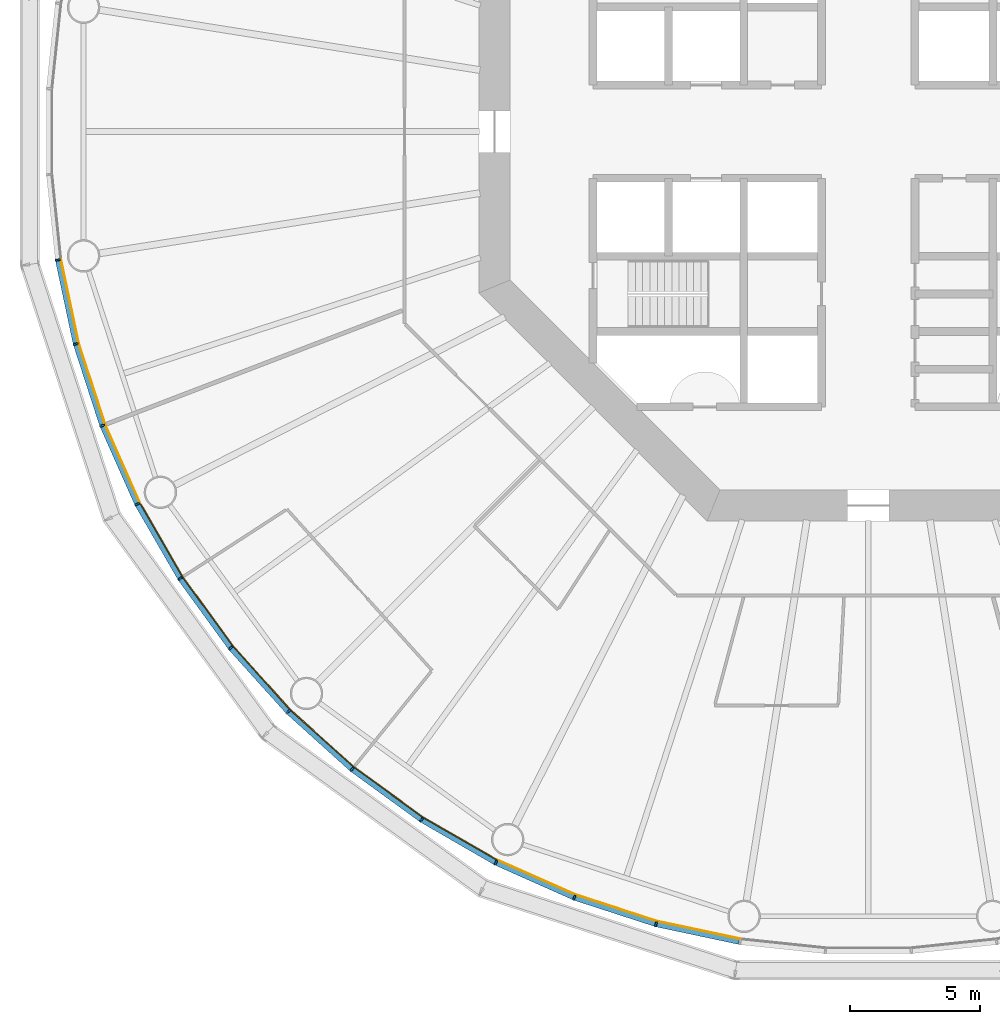
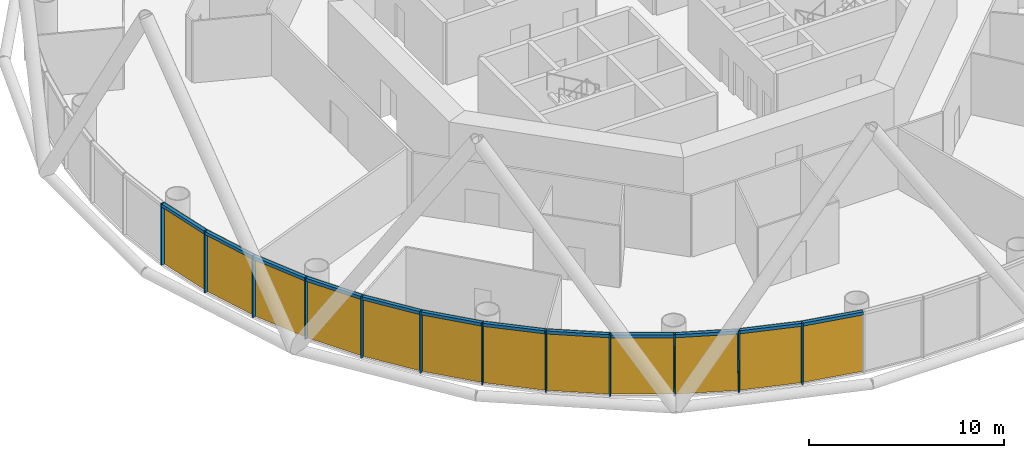
# One storey, part 7 of 13: 24 members, 4 curtain walls.
"""IFC4 building model written with IfcOpenShell, lengths in metres."""

from ifc_helpers import new_model, si_unit, direction, frame, origin, origin_2d, place, context, subcontext, project, spatial, polyline, rectangle, outline, extrude, material, layer, layer_set, material_profile, profile_set, type_object, element, aggregate, save


model = new_model("IFC4")

# Units and contexts
model_context = context("Model", 3, precision=1e-05, world=origin(), true_north=direction((0.0, 1.0)))
body_context = subcontext(model_context, "Body", "Model", "MODEL_VIEW")
ifc_project = project(units=[si_unit("LENGTHUNIT", "METRE"), si_unit("AREAUNIT", "SQUARE_METRE"), si_unit("VOLUMEUNIT", "CUBIC_METRE"), si_unit("PLANEANGLEUNIT", "RADIAN"), si_unit("MASSUNIT", "GRAM", prefix="KILO")], contexts=[model_context])

# Member
ifc_material_1 = material(Name="Anodised aluminium", Category="aluminium")
ifc_material_profile_1 = material_profile(ifc_material_1, rectangle(XDim=0.070068359375, YDim=0.199951171875, at=origin_2d()), Name="Mullion 70 x 200 mm anodised aluminium")
ifc_profile_set_1 = profile_set([ifc_material_profile_1], Name="Anodised aluminium")
member_type_1 = type_object("IfcMemberType", Name="Mullion 70 x 200 mm anodised aluminium", PredefinedType="MULLION", material=ifc_profile_set_1)
site_placement = place(None, origin())
building_placement = place(site_placement, origin())
storey_placement = place(building_placement, frame((0.0, 0.0, 116.0)))
member_1_placement = place(storey_placement, frame((58.7890625, 75.056640625, 0.0), z_axis=(0.0, 0.0, 1.0), x_axis=(0.15643446504, -0.987688340595, 0.0)))
member_1 = element("IfcMember", 1, at=member_1_placement, type_object=member_type_1, Name="MULLION L26-30", PredefinedType="MULLION", context=body_context, shape_type="SweptSolid", body=[
    extrude(rectangle(XDim=0.070068359375, YDim=0.199951171875, at=origin_2d()), origin(), (0.0, 0.0, 1.0), 3.85009765625),
])

member_2_placement = place(storey_placement, frame((59.476806640625, 71.8212890625, 0.0), z_axis=(0.0, 0.0, 1.0), x_axis=(0.258819045103, -0.965925826289, 0.0)))
member_2 = element("IfcMember", 2, at=member_2_placement, type_object=member_type_1, Name="MULLION L26-31", PredefinedType="MULLION", context=body_context, shape_type="SweptSolid", body=[
    extrude(rectangle(XDim=0.070068359375, YDim=0.199951171875, at=origin_2d()), origin(), (0.0, 0.0, 1.0), 3.85009765625),
])

member_3_placement = place(storey_placement, frame((60.498779296875, 68.675537109375, 0.0), z_axis=(0.0, 0.0, 1.0), x_axis=(0.358367949545, -0.933580426497, 0.0)))
member_3 = element("IfcMember", 3, at=member_3_placement, type_object=member_type_1, Name="MULLION L26-32", PredefinedType="MULLION", context=body_context, shape_type="SweptSolid", body=[
    extrude(rectangle(XDim=0.070068359375, YDim=0.199951171875, at=origin_2d()), origin(), (0.0, 0.0, 1.0), 3.85009765625),
])

member_4_placement = place(storey_placement, frame((61.84423828125, 65.65380859375, 0.0), z_axis=(0.0, 0.0, 1.0), x_axis=(0.45399049974, -0.891006524188, 0.0)))
member_4 = element("IfcMember", 4, at=member_4_placement, type_object=member_type_1, Name="MULLION L26-33", PredefinedType="MULLION", context=body_context, shape_type="SweptSolid", body=[
    extrude(rectangle(XDim=0.070068359375, YDim=0.199951171875, at=origin_2d()), origin(), (0.0, 0.0, 1.0), 3.85009765625),
])

member_5_placement = place(storey_placement, frame((63.498046875, 62.789306640625, 0.0), z_axis=(0.0, 0.0, 1.0), x_axis=(0.544639035015, -0.838670567945, 0.0)))
member_5 = element("IfcMember", 5, at=member_5_placement, type_object=member_type_1, Name="MULLION L26-34", PredefinedType="MULLION", context=body_context, shape_type="SweptSolid", body=[
    extrude(rectangle(XDim=0.070068359375, YDim=0.199951171875, at=origin_2d()), origin(), (0.0, 0.0, 1.0), 3.85009765625),
])

member_6_placement = place(storey_placement, frame((65.442138671875, 60.113525390625, 0.0), z_axis=(0.0, 0.0, 1.0), x_axis=(0.62932039105, -0.777145961457, 0.0)))
member_6 = element("IfcMember", 6, at=member_6_placement, type_object=member_type_1, Name="MULLION L26-35", PredefinedType="MULLION", context=body_context, shape_type="SweptSolid", body=[
    extrude(rectangle(XDim=0.070068359375, YDim=0.199951171875, at=origin_2d()), origin(), (0.0, 0.0, 1.0), 3.85009765625),
])

member_7_placement = place(storey_placement, frame((67.655517578125, 57.655517578125, 0.0), z_axis=(0.0, 0.0, 1.0), x_axis=(0.707106781187, -0.707106781187, 0.0)))
member_7 = element("IfcMember", 7, at=member_7_placement, type_object=member_type_1, Name="MULLION L26-36", PredefinedType="MULLION", context=body_context, shape_type="SweptSolid", body=[
    extrude(rectangle(XDim=0.070068359375, YDim=0.199951171875, at=origin_2d()), origin(), (0.0, 0.0, 1.0), 3.85009765625),
])

member_8_placement = place(storey_placement, frame((70.113525390625, 55.442138671875, 0.0), z_axis=(0.0, 0.0, 1.0), x_axis=(0.777145961457, -0.62932039105, 0.0)))
member_8 = element("IfcMember", 8, at=member_8_placement, type_object=member_type_1, Name="MULLION L26-37", PredefinedType="MULLION", context=body_context, shape_type="SweptSolid", body=[
    extrude(rectangle(XDim=0.070068359375, YDim=0.199951171875, at=origin_2d()), origin(), (0.0, 0.0, 1.0), 3.85009765625),
])

member_9_placement = place(storey_placement, frame((72.789306640625, 53.498046875, 0.0), z_axis=(0.0, 0.0, 1.0), x_axis=(0.838670567945, -0.544639035015, 0.0)))
member_9 = element("IfcMember", 9, at=member_9_placement, type_object=member_type_1, Name="MULLION L26-38", PredefinedType="MULLION", context=body_context, shape_type="SweptSolid", body=[
    extrude(rectangle(XDim=0.070068359375, YDim=0.199951171875, at=origin_2d()), origin(), (0.0, 0.0, 1.0), 3.85009765625),
])

member_10_placement = place(storey_placement, frame((75.65380859375, 51.84423828125, 0.0), z_axis=(0.0, 0.0, 1.0), x_axis=(0.891006524188, -0.45399049974, 0.0)))
member_10 = element("IfcMember", 10, at=member_10_placement, type_object=member_type_1, Name="MULLION L26-39", PredefinedType="MULLION", context=body_context, shape_type="SweptSolid", body=[
    extrude(rectangle(XDim=0.070068359375, YDim=0.199951171875, at=origin_2d()), origin(), (0.0, 0.0, 1.0), 3.85009765625),
])

member_11_placement = place(storey_placement, frame((78.675537109375, 50.498779296875, 0.0), z_axis=(0.0, 0.0, 1.0), x_axis=(0.933580426497, -0.358367949545, 0.0)))
member_11 = element("IfcMember", 11, at=member_11_placement, type_object=member_type_1, Name="MULLION L26-40", PredefinedType="MULLION", context=body_context, shape_type="SweptSolid", body=[
    extrude(rectangle(XDim=0.070068359375, YDim=0.199951171875, at=origin_2d()), origin(), (0.0, 0.0, 1.0), 3.85009765625),
])

member_12_placement = place(storey_placement, frame((81.8212890625, 49.476806640625, 0.0), z_axis=(0.0, 0.0, 1.0), x_axis=(0.965925826289, -0.258819045103, 0.0)))
member_12 = element("IfcMember", 12, at=member_12_placement, type_object=member_type_1, Name="MULLION L26-41", PredefinedType="MULLION", context=body_context, shape_type="SweptSolid", body=[
    extrude(rectangle(XDim=0.070068359375, YDim=0.199951171875, at=origin_2d()), origin(), (0.0, 0.0, 1.0), 3.85009765625),
])

ifc_material_2 = material(Name="Anodised aluminium", Category="aluminium")
ifc_material_profile_2 = material_profile(ifc_material_2, rectangle(XDim=0.199951171875, YDim=0.18994140625, at=origin_2d()), Name="Transom 190 x 200 mm anodised aluminium")
ifc_profile_set_2 = profile_set([ifc_material_profile_2], Name="Anodised aluminium")
member_type_2 = type_object("IfcMemberType", Name="Transom 190 x 200 mm anodised aluminium", PredefinedType="USERDEFINED", material=ifc_profile_set_2)
member_13_placement = place(storey_placement, frame((58.79736328125, 75.017333984375, 3.7548828125), z_axis=(0.207885898771, -0.978153082647, 0.0), x_axis=(0.978153082647, 0.207885898771, 0.0)))
member_13 = element("IfcMember", 13, at=member_13_placement, type_object=member_type_2, Name="TRANSOM L26-30", ObjectType="TRANSOM", PredefinedType="USERDEFINED", context=body_context, shape_type="SweptSolid", body=[
    extrude(rectangle(XDim=0.199951171875, YDim=0.18994140625, at=origin_2d()), origin(), (0.0, 0.0, 1.0), 3.227294921875),
])

member_14_placement = place(storey_placement, frame((59.489013671875, 71.782958984375, 3.7548828125), z_axis=(0.309046726844, -0.951046855117, 0.0), x_axis=(0.951046855117, 0.309046726844, 0.0)))
member_14 = element("IfcMember", 14, at=member_14_placement, type_object=member_type_2, Name="TRANSOM L26-31", ObjectType="TRANSOM", PredefinedType="USERDEFINED", context=body_context, shape_type="SweptSolid", body=[
    extrude(rectangle(XDim=0.199951171875, YDim=0.18994140625, at=origin_2d()), origin(), (0.0, 0.0, 1.0), 3.22705078125),
])

member_15_placement = place(storey_placement, frame((60.51513671875, 68.638671875, 3.7548828125), z_axis=(0.406728032322, -0.913549291349, 0.0), x_axis=(0.913549291349, 0.406728032322, 0.0)))
member_15 = element("IfcMember", 15, at=member_15_placement, type_object=member_type_2, Name="TRANSOM L26-32", ObjectType="TRANSOM", PredefinedType="USERDEFINED", context=body_context, shape_type="SweptSolid", body=[
    extrude(rectangle(XDim=0.199951171875, YDim=0.18994140625, at=origin_2d()), origin(), (0.0, 0.0, 1.0), 3.22705078125),
])

member_16_placement = place(storey_placement, frame((61.8642578125, 65.618896484375, 3.7548828125), z_axis=(0.500004055213, -0.866023062494, 0.0), x_axis=(0.866023062494, 0.500004055213, 0.0)))
member_16 = element("IfcMember", 16, at=member_16_placement, type_object=member_type_2, Name="TRANSOM L26-33", ObjectType="TRANSOM", PredefinedType="USERDEFINED", context=body_context, shape_type="SweptSolid", body=[
    extrude(rectangle(XDim=0.199951171875, YDim=0.18994140625, at=origin_2d()), origin(), (0.0, 0.0, 1.0), 3.22705078125),
])

member_17_placement = place(storey_placement, frame((63.521484375, 62.7568359375, 3.7548828125), z_axis=(0.587802790201, -0.809004252048, 0.0), x_axis=(0.809004252048, 0.587802790201, 0.0)))
member_17 = element("IfcMember", 17, at=member_17_placement, type_object=member_type_2, Name="TRANSOM L26-34", ObjectType="TRANSOM", PredefinedType="USERDEFINED", context=body_context, shape_type="SweptSolid", body=[
    extrude(rectangle(XDim=0.199951171875, YDim=0.18994140625, at=origin_2d()), origin(), (0.0, 0.0, 1.0), 3.227294921875),
])

member_18_placement = place(storey_placement, frame((65.468994140625, 60.08349609375, 3.7548828125), z_axis=(0.669144438484, -0.743132370743, 0.0), x_axis=(0.743132370743, 0.669144438484, 0.0)))
member_18 = element("IfcMember", 18, at=member_18_placement, type_object=member_type_2, Name="TRANSOM L26-35", ObjectType="TRANSOM", PredefinedType="USERDEFINED", context=body_context, shape_type="SweptSolid", body=[
    extrude(rectangle(XDim=0.199951171875, YDim=0.18994140625, at=origin_2d()), origin(), (0.0, 0.0, 1.0), 3.22705078125),
])

member_19_placement = place(storey_placement, frame((67.685302734375, 57.62841796875, 3.7548828125), z_axis=(0.743132370743, -0.669144438484, 0.0), x_axis=(0.669144438484, 0.743132370743, 0.0)))
member_19 = element("IfcMember", 19, at=member_19_placement, type_object=member_type_2, Name="TRANSOM L26-36", ObjectType="TRANSOM", PredefinedType="USERDEFINED", context=body_context, shape_type="SweptSolid", body=[
    extrude(rectangle(XDim=0.199951171875, YDim=0.18994140625, at=origin_2d()), origin(), (0.0, 0.0, 1.0), 3.22705078125),
])

member_20_placement = place(storey_placement, frame((70.14599609375, 55.41845703125, 3.7548828125), z_axis=(0.809004252048, -0.587802790201, 0.0), x_axis=(0.587802790201, 0.809004252048, 0.0)))
member_20 = element("IfcMember", 20, at=member_20_placement, type_object=member_type_2, Name="TRANSOM L26-37", ObjectType="TRANSOM", PredefinedType="USERDEFINED", context=body_context, shape_type="SweptSolid", body=[
    extrude(rectangle(XDim=0.199951171875, YDim=0.18994140625, at=origin_2d()), origin(), (0.0, 0.0, 1.0), 3.227294921875),
])

member_21_placement = place(storey_placement, frame((72.82421875, 53.477783203125, 3.7548828125), z_axis=(0.866023062494, -0.500004055213, 0.0), x_axis=(0.500004055213, 0.866023062494, 0.0)))
member_21 = element("IfcMember", 21, at=member_21_placement, type_object=member_type_2, Name="TRANSOM L26-38", ObjectType="TRANSOM", PredefinedType="USERDEFINED", context=body_context, shape_type="SweptSolid", body=[
    extrude(rectangle(XDim=0.199951171875, YDim=0.18994140625, at=origin_2d()), origin(), (0.0, 0.0, 1.0), 3.22705078125),
])

member_22_placement = place(storey_placement, frame((75.690673828125, 51.82763671875, 3.7548828125), z_axis=(0.913549291349, -0.406728032322, 0.0), x_axis=(0.406728032322, 0.913549291349, 0.0)))
member_22 = element("IfcMember", 22, at=member_22_placement, type_object=member_type_2, Name="TRANSOM L26-39", ObjectType="TRANSOM", PredefinedType="USERDEFINED", context=body_context, shape_type="SweptSolid", body=[
    extrude(rectangle(XDim=0.199951171875, YDim=0.18994140625, at=origin_2d()), origin(), (0.0, 0.0, 1.0), 3.22705078125),
])

member_23_placement = place(storey_placement, frame((78.7138671875, 50.486328125, 3.7548828125), z_axis=(0.951046855117, -0.309046726844, 0.0), x_axis=(0.309046726844, 0.951046855117, 0.0)))
member_23 = element("IfcMember", 23, at=member_23_placement, type_object=member_type_2, Name="TRANSOM L26-40", ObjectType="TRANSOM", PredefinedType="USERDEFINED", context=body_context, shape_type="SweptSolid", body=[
    extrude(rectangle(XDim=0.199951171875, YDim=0.18994140625, at=origin_2d()), origin(), (0.0, 0.0, 1.0), 3.22705078125),
])

member_24_placement = place(storey_placement, frame((81.860595703125, 49.46826171875, 3.7548828125), z_axis=(0.978153082647, -0.207885898771, 0.0), x_axis=(0.207885898771, 0.978153082647, 0.0)))
member_24 = element("IfcMember", 24, at=member_24_placement, type_object=member_type_2, Name="TRANSOM L26-41", ObjectType="TRANSOM", PredefinedType="USERDEFINED", context=body_context, shape_type="SweptSolid", body=[
    extrude(rectangle(XDim=0.199951171875, YDim=0.18994140625, at=origin_2d()), origin(), (0.0, 0.0, 1.0), 3.227294921875),
])

# Site, building, storey
site = spatial("IfcSite", under=ifc_project, at=site_placement, CompositionType="ELEMENT")
building = spatial("IfcBuilding", under=site, at=building_placement, Name="Entoto Ring Tower", CompositionType="ELEMENT")
storey = spatial("IfcBuildingStorey", under=building, at=storey_placement, Name="L26", CompositionType="ELEMENT", Elevation=116.0)

# Curtain wall
ifc_material_3 = material(Name="Clear low-iron glass", Category="glass")
ifc_layer = layer(ifc_material_3, 0.035888671875)
ifc_layer_set = layer_set([ifc_layer], Name="Clear low-iron glass")
curtain_wall_type = type_object("IfcCurtainWallType", Name="Curtain wall system CW2 glazing 36 mm", PredefinedType="NOTDEFINED", material=ifc_layer_set)
curtain_wall_1_placement = place(storey_placement, origin())
curtain_wall_1 = element("IfcCurtainWall", 25, at=curtain_wall_1_placement, inside=storey, type_object=curtain_wall_type, Name="CW2 L26-11", PredefinedType="NOTDEFINED", context=body_context, shape_type="SweptSolid", body=[
    extrude(outline(polyline([(58.8876953125, 75.072265625), (59.5732421875, 71.84716796875), (60.59228515625, 68.71142578125), (61.933349609375, 65.69921875), (61.96533203125, 65.715576171875), (60.6259765625, 68.724365234375), (59.608154296875, 71.8564453125), (58.92333984375, 75.077880859375), (58.8876953125, 75.072265625)])), origin(), (0.0, 0.0, 1.0), 3.85009765625),
])

aggregate(curtain_wall_1, [member_1, member_2, member_3, member_13, member_14, member_15])

curtain_wall_2_placement = place(storey_placement, origin())
curtain_wall_2 = element("IfcCurtainWall", 26, at=curtain_wall_2_placement, inside=storey, type_object=curtain_wall_type, Name="CW2 L26-12", PredefinedType="NOTDEFINED", context=body_context, shape_type="SweptSolid", body=[
    extrude(outline(polyline([(61.933349609375, 65.69921875), (63.581787109375, 62.84375), (65.52001953125, 60.176513671875), (67.72607421875, 57.72607421875), (67.751708984375, 57.751708984375), (65.5478515625, 60.198974609375), (63.612060546875, 62.863525390625), (61.96533203125, 65.715576171875), (61.933349609375, 65.69921875)])), origin(), (0.0, 0.0, 1.0), 3.85009765625),
])

aggregate(curtain_wall_2, [member_4, member_5, member_6, member_16, member_17, member_18])

curtain_wall_3_placement = place(storey_placement, origin())
curtain_wall_3 = element("IfcCurtainWall", 27, at=curtain_wall_3_placement, inside=storey, type_object=curtain_wall_type, Name="CW2 L26-13", PredefinedType="NOTDEFINED", context=body_context, shape_type="SweptSolid", body=[
    extrude(outline(polyline([(67.72607421875, 57.72607421875), (70.176513671875, 55.52001953125), (72.84375, 53.581787109375), (75.69921875, 51.933349609375), (75.715576171875, 51.96533203125), (72.863525390625, 53.612060546875), (70.198974609375, 55.5478515625), (67.751708984375, 57.751708984375), (67.72607421875, 57.72607421875)])), origin(), (0.0, 0.0, 1.0), 3.85009765625),
])

aggregate(curtain_wall_3, [member_7, member_8, member_9, member_19, member_20, member_21])

curtain_wall_4_placement = place(storey_placement, origin())
curtain_wall_4 = element("IfcCurtainWall", 28, at=curtain_wall_4_placement, inside=storey, type_object=curtain_wall_type, Name="CW2 L26-14", PredefinedType="NOTDEFINED", context=body_context, shape_type="SweptSolid", body=[
    extrude(outline(polyline([(75.69921875, 51.933349609375), (78.71142578125, 50.59228515625), (81.84716796875, 49.5732421875), (85.072265625, 48.8876953125), (85.077880859375, 48.92333984375), (81.8564453125, 49.608154296875), (78.724365234375, 50.6259765625), (75.715576171875, 51.96533203125), (75.69921875, 51.933349609375)])), origin(), (0.0, 0.0, 1.0), 3.85009765625),
])

aggregate(curtain_wall_4, [member_10, member_11, member_12, member_22, member_23, member_24])

save(model, "model.ifc")
